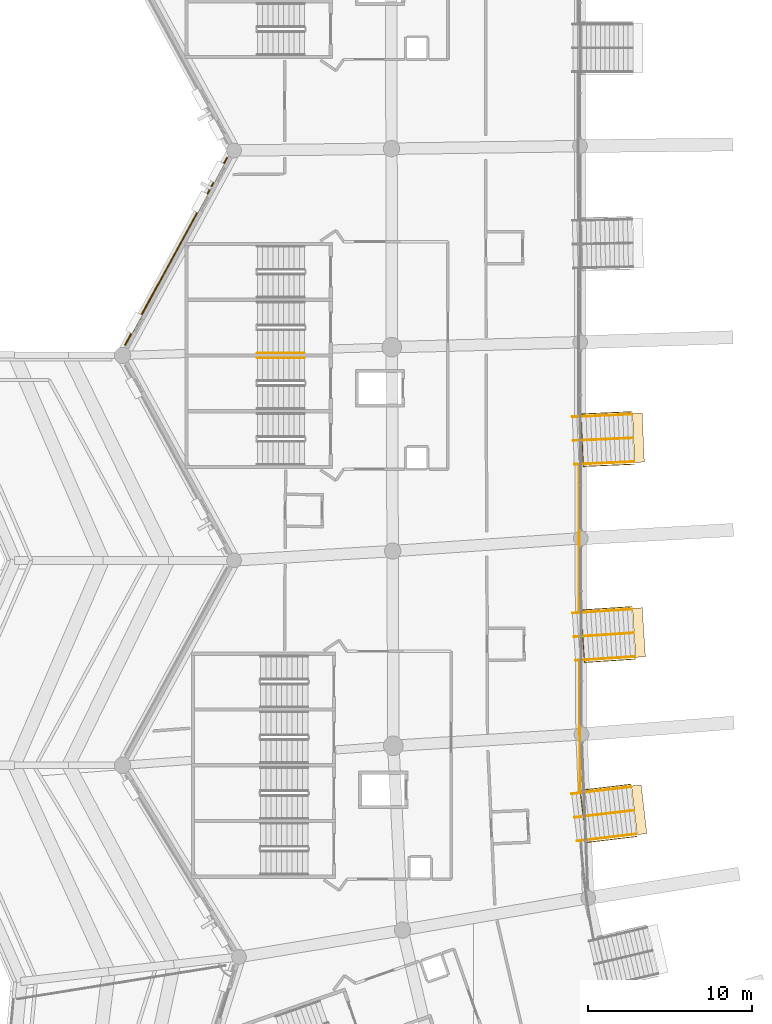
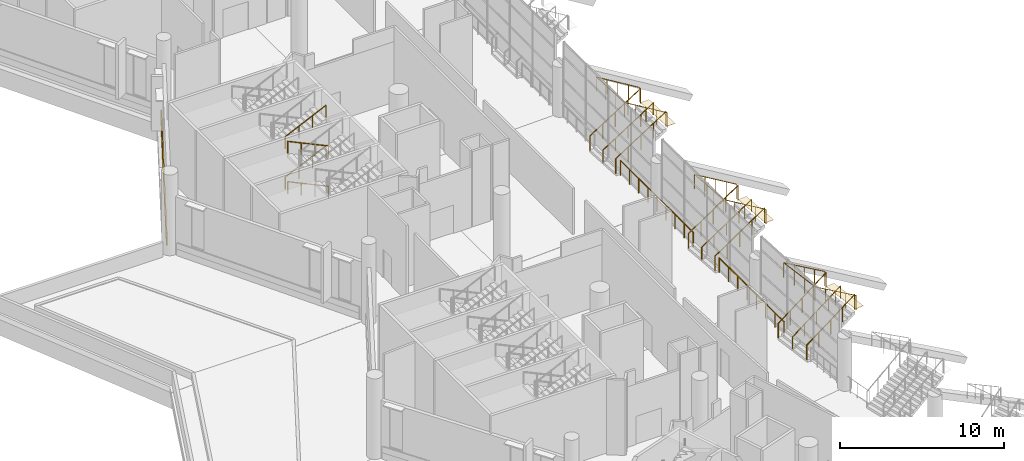
# One storey, part 123 of 173: 18 railings, 5 coverings.
"""IFC4 building model written with IfcOpenShell, lengths in metres."""

from ifc_helpers import new_model, si_unit, direction, frame, origin, origin_2d, place, context, subcontext, project, spatial, rectangle, circle, extrude, material, layer, layer_set, type_object, element, save


model = new_model("IFC4")

# Units and contexts
model_context = context("Model", 3, precision=1e-05, world=origin(), true_north=direction((0.0, 1.0)))
body_context = subcontext(model_context, "Body", "Model", "MODEL_VIEW")
ifc_project = project(units=[si_unit("LENGTHUNIT", "METRE"), si_unit("AREAUNIT", "SQUARE_METRE"), si_unit("VOLUMEUNIT", "CUBIC_METRE"), si_unit("PLANEANGLEUNIT", "RADIAN"), si_unit("MASSUNIT", "GRAM", prefix="KILO")], contexts=[model_context])

# Site, building, storey
site_placement = place(None, origin())
site = spatial("IfcSite", under=ifc_project, at=site_placement, CompositionType="ELEMENT")
building_placement = place(site_placement, origin())
building = spatial("IfcBuilding", under=site, at=building_placement, Name="Meseta Stadium", CompositionType="ELEMENT")
storey_placement = place(building_placement, frame((0.0, 0.0, 18.0)))
storey = spatial("IfcBuildingStorey", under=building, at=storey_placement, Name="L03", CompositionType="ELEMENT", Elevation=18.0)

# Covering
ifc_material_1 = material(Name="Guadarrama granite cladding", Category="masonry")
ifc_layer_1 = layer(ifc_material_1, 0.06005859375)
ifc_layer_set_1 = layer_set([ifc_layer_1], Name="Granite plinth cladding 60")
covering_type_1 = type_object("IfcCoveringType", Name="Granite plinth cladding 60", PredefinedType="CLADDING", material=ifc_layer_set_1)
covering_1_placement = place(storey_placement, frame((-98.124267578125, -12.404052734375, 0.0), z_axis=(0.0, 0.0, 1.0), x_axis=(0.47786723231, 0.878432073802, 0.0)))
element("IfcCovering", 1, at=covering_1_placement, inside=storey, type_object=covering_type_1, Name="Granite plinth L03 F33", PredefinedType="CLADDING", context=body_context, shape_type="SweptSolid", body=[
    extrude(rectangle(XDim=13.040283203125, YDim=0.06005859375, at=origin_2d()), origin(), (0.0, 0.0, 1.0), 0.5),
])

# Railings
ifc_material_2 = material(Name="Steel S355", Category="steel")
railing_type_1 = type_object("IfcRailingType", Name="Plate edge guard 1100", PredefinedType="GUARDRAIL", material=ifc_material_2)
railing_1_placement = place(storey_placement, frame((-73.564453125, -25.49951171875, 0.0)))
element("IfcRailing", 2, at=railing_1_placement, inside=storey, type_object=railing_type_1, Name="L03 inner edge guard 36", PredefinedType="GUARDRAIL", context=body_context, shape_type="SweptSolid", body=[
    extrude(circle(Radius=0.02490234375, at=origin_2d()), frame((0.0, 0.0, 1.0751953125), z_axis=(0.003239544414, -0.999994752662, 0.0), x_axis=(0.999994752662, 0.003239544414, 0.0)), (0.0, 0.0, 1.0), 8.8173828125),
    extrude(circle(Radius=0.02001953125, at=origin_2d()), origin(), (0.0, 0.0, 1.0), 1.050048828125),
    extrude(circle(Radius=0.02001953125, at=origin_2d()), frame((0.003662109375, -1.10205078125, 0.0)), (0.0, 0.0, 1.0), 1.050048828125),
    extrude(circle(Radius=0.02001953125, at=origin_2d()), frame((0.007080078125, -2.204345703125, 0.0)), (0.0, 0.0, 1.0), 1.050048828125),
    extrude(circle(Radius=0.02001953125, at=origin_2d()), frame((0.0107421875, -3.306640625, 0.0)), (0.0, 0.0, 1.0), 1.050048828125),
    extrude(circle(Radius=0.02001953125, at=origin_2d()), frame((0.01416015625, -4.40869140625, 0.0)), (0.0, 0.0, 1.0), 1.050048828125),
    extrude(circle(Radius=0.02001953125, at=origin_2d()), frame((0.017822265625, -5.5107421875, 0.0)), (0.0, 0.0, 1.0), 1.050048828125),
    extrude(circle(Radius=0.02001953125, at=origin_2d()), frame((0.021484375, -6.613037109375, 0.0)), (0.0, 0.0, 1.0), 1.050048828125),
    extrude(circle(Radius=0.02001953125, at=origin_2d()), frame((0.02490234375, -7.71533203125, 0.0)), (0.0, 0.0, 1.0), 1.050048828125),
    extrude(circle(Radius=0.02001953125, at=origin_2d()), frame((0.028564453125, -8.8173828125, 0.0)), (0.0, 0.0, 1.0), 1.050048828125),
])
railing_2_placement = place(storey_placement, frame((-73.523681640625, -37.462890625, 0.0)))
element("IfcRailing", 3, at=railing_2_placement, inside=storey, type_object=railing_type_1, Name="L03 inner edge guard 37", PredefinedType="GUARDRAIL", context=body_context, shape_type="SweptSolid", body=[
    extrude(circle(Radius=0.02490234375, at=origin_2d()), frame((0.0, 0.0, 1.0751953125), z_axis=(0.004512027757, -0.999989820751, 0.0), x_axis=(0.999989820751, 0.004512027757, 0.0)), (0.0, 0.0, 1.0), 7.845703125),
    extrude(circle(Radius=0.02001953125, at=origin_2d()), origin(), (0.0, 0.0, 1.0), 1.050048828125),
    extrude(circle(Radius=0.02001953125, at=origin_2d()), frame((0.005126953125, -1.120849609375, 0.0)), (0.0, 0.0, 1.0), 1.050048828125),
    extrude(circle(Radius=0.02001953125, at=origin_2d()), frame((0.010009765625, -2.24169921875, 0.0)), (0.0, 0.0, 1.0), 1.050048828125),
    extrude(circle(Radius=0.02001953125, at=origin_2d()), frame((0.01513671875, -3.362548828125, 0.0)), (0.0, 0.0, 1.0), 1.050048828125),
    extrude(circle(Radius=0.02001953125, at=origin_2d()), frame((0.020263671875, -4.483154296875, 0.0)), (0.0, 0.0, 1.0), 1.050048828125),
    extrude(circle(Radius=0.02001953125, at=origin_2d()), frame((0.025390625, -5.60400390625, 0.0)), (0.0, 0.0, 1.0), 1.050048828125),
    extrude(circle(Radius=0.02001953125, at=origin_2d()), frame((0.0302734375, -6.724853515625, 0.0)), (0.0, 0.0, 1.0), 1.050048828125),
    extrude(circle(Radius=0.02001953125, at=origin_2d()), frame((0.035400390625, -7.845703125, 0.0)), (0.0, 0.0, 1.0), 1.050048828125),
])
ifc_material_3 = material(Name="Steel S355", Category="steel")
railing_type_2 = type_object("IfcRailingType", Name="Stair handrail 900", PredefinedType="HANDRAIL", material=ifc_material_3)
for number, where, name in (
    (4, (-93.179931640625, -18.60009765625, 1.64990234375), "ST70 L03 handrail 2"),
    (5, (-93.179931640625, -18.60009765625, 4.64990234375), "ST70 L03 handrail 4"),
):
    element("IfcRailing", number, at=place(storey_placement, frame(where)), inside=storey, type_object=railing_type_2, Name=name, PredefinedType="HANDRAIL", context=body_context, shape_type="SweptSolid", body=[
        extrude(circle(Radius=0.02392578125, at=origin_2d()), frame((0.0, 0.0, 0.8759765625), z_axis=(0.905440498372, 0.0, 0.424473207528), x_axis=(0.0, 1.0, 0.0)), (0.0, 0.0, 1.0), 3.1806640625),
        extrude(circle(Radius=0.02099609375, at=origin_2d()), origin(), (0.0, 0.0, 1.0), 0.851806640625),
        extrude(circle(Radius=0.02099609375, at=origin_2d()), frame((0.9599609375, 0.0, 0.449951171875)), (0.0, 0.0, 1.0), 0.851806640625),
        extrude(circle(Radius=0.02099609375, at=origin_2d()), frame((1.919921875, 0.0, 0.900146484375)), (0.0, 0.0, 1.0), 0.851806640625),
        extrude(circle(Radius=0.02099609375, at=origin_2d()), frame((2.8798828125, 0.0, 1.35009765625)), (0.0, 0.0, 1.0), 0.851806640625),
    ])
for number, where, name in (
    (6, (-90.300048828125, -18.89990234375, 0.14990234375), "ST71 L03 handrail 1"),
    (7, (-90.300048828125, -18.89990234375, 3.14990234375), "ST71 L03 handrail 3"),
):
    element("IfcRailing", number, at=place(storey_placement, frame(where)), inside=storey, type_object=railing_type_2, Name=name, PredefinedType="HANDRAIL", context=body_context, shape_type="SweptSolid", body=[
        extrude(circle(Radius=0.02392578125, at=origin_2d()), frame((0.0, 0.0, 0.8759765625), z_axis=(-0.905440498372, 0.0, 0.424473207528), x_axis=(0.0, -1.0, 0.0)), (0.0, 0.0, 1.0), 3.1806640625),
        extrude(circle(Radius=0.02099609375, at=origin_2d()), origin(), (0.0, 0.0, 1.0), 0.851806640625),
        extrude(circle(Radius=0.02099609375, at=origin_2d()), frame((-0.9599609375, 0.0, 0.449951171875)), (0.0, 0.0, 1.0), 0.851806640625),
        extrude(circle(Radius=0.02099609375, at=origin_2d()), frame((-1.919921875, 0.0, 0.900146484375)), (0.0, 0.0, 1.0), 0.851806640625),
        extrude(circle(Radius=0.02099609375, at=origin_2d()), frame((-2.8798828125, 0.0, 1.35009765625)), (0.0, 0.0, 1.0), 0.851806640625),
    ])

# Coverings
ifc_material_4 = material(Name="Precast concrete C40/50, terracotta pigment", Category="masonry")
ifc_layer_2 = layer(ifc_material_4, 0.080078125)
ifc_layer_set_2 = layer_set([ifc_layer_2], Name="Precast concrete C40/50, terracotta pigment")
covering_type_2 = type_object("IfcCoveringType", Name="Terracotta precast band 80", PredefinedType="CLADDING", material=ifc_layer_set_2)
covering_2_placement = place(storey_placement, frame((-98.133056640625, -12.399169921875, 0.5), z_axis=(0.0, 0.0, 1.0), x_axis=(0.47786723231, 0.878432073802, 0.0)))
element("IfcCovering", 8, at=covering_2_placement, inside=storey, type_object=covering_type_2, Name="Terracotta band L03 F33", PredefinedType="CLADDING", context=body_context, shape_type="SweptSolid", body=[
    extrude(rectangle(XDim=13.040283203125, YDim=0.080078125, at=origin_2d()), origin(), (0.0, 0.0, 1.0), 0.449951171875),
])
ifc_material_5 = material(Name="Stone paving", Category="masonry")
ifc_layer_3 = layer(ifc_material_5, 0.02001953125)
ifc_layer_set_3 = layer_set([ifc_layer_3], Name="Vomitory exit threshold plate 20")
covering_type_3 = type_object("IfcCoveringType", Name="Vomitory exit threshold plate 20", PredefinedType="FLOORING", material=ifc_layer_set_3)
for number, where, z_axis, x_axis, name in (
    (9, (-69.936279296875, -23.76904296875, 2.2919921875), (0.0, 0.0, 1.0), (0.999039522965, 0.043818164662, 0.0), "Vomitory V-upper-35 exit threshold"),
    (10, (-69.90185546875, -35.651123046875, 2.2919921875), (0.0, 0.0, 1.0), (0.997842912451, 0.065646950207, 0.0), "Vomitory V-upper-36 exit threshold"),
    (11, (-69.890380859375, -46.4619140625, 2.409423828125), (0.0, 0.0, 1.0), (0.993015017931, 0.117988025512, 0.0), "Vomitory V-upper-37 exit threshold"),
):
    element("IfcCovering", number, at=place(storey_placement, frame(where, z_axis=z_axis, x_axis=x_axis)), inside=storey, type_object=covering_type_3, Name=name, PredefinedType="FLOORING", context=body_context, shape_type="SweptSolid", body=[
        extrude(rectangle(XDim=0.60009765625, YDim=3.0, at=origin_2d()), origin(), (0.0, 0.0, 1.0), 0.02001953125),
    ])

# Railings
ifc_material_6 = material(Name="Steel S355", Category="steel")
railing_type_3 = type_object("IfcRailingType", Name="Vomitory slot guard 1100", PredefinedType="GUARDRAIL", material=ifc_material_6)
railing_3_placement = place(storey_placement, frame((-70.199951171875, -25.382080078125, 2.31201171875)))
element("IfcRailing", 12, at=railing_3_placement, inside=storey, type_object=railing_type_3, Name="Vomitory V-upper-35 slot guard", PredefinedType="GUARDRAIL", context=body_context, shape_type="SweptSolid", body=[
    extrude(circle(Radius=0.02490234375, at=origin_2d()), frame((0.0, 0.0, 1.0751953125), z_axis=(-0.847195861741, -0.03713076613, 0.529981582751), x_axis=(0.043785808256, -0.999040941601, 0.0)), (0.0, 0.0, 1.0), 3.65576171875),
    extrude(circle(Radius=0.02490234375, at=origin_2d()), frame((-3.09716796875, -0.1357421875, 3.0126953125), z_axis=(-0.043794812428, 0.999040546927, 0.0), x_axis=(-0.999040546927, -0.043794812428, 0.0)), (0.0, 0.0, 1.0), 3.199951171875),
    extrude(circle(Radius=0.02490234375, at=origin_2d()), frame((-3.2373046875, 3.06103515625, 3.0126953125), z_axis=(0.847195861741, 0.03713076613, -0.529981582751), x_axis=(-0.043785808256, 0.999040941601, 0.0)), (0.0, 0.0, 1.0), 3.65576171875),
    extrude(circle(Radius=0.02001953125, at=origin_2d()), origin(), (0.0, 0.0, 1.0), 1.050048828125),
    extrude(circle(Radius=0.02001953125, at=origin_2d()), frame((-0.7744140625, -0.033935546875, 0.484375)), (0.0, 0.0, 1.0), 1.050048828125),
    extrude(circle(Radius=0.02001953125, at=origin_2d()), frame((-1.548583984375, -0.06787109375, 0.96875)), (0.0, 0.0, 1.0), 1.050048828125),
    extrude(circle(Radius=0.02001953125, at=origin_2d()), frame((-2.32275390625, -0.101806640625, 1.453125)), (0.0, 0.0, 1.0), 1.050048828125),
    extrude(circle(Radius=0.02001953125, at=origin_2d()), frame((-3.09716796875, -0.1357421875, 1.9375)), (0.0, 0.0, 1.0), 1.050048828125),
    extrude(circle(Radius=0.02001953125, at=origin_2d()), frame((-3.143798828125, 0.929931640625, 1.9375)), (0.0, 0.0, 1.0), 1.050048828125),
    extrude(circle(Radius=0.02001953125, at=origin_2d()), frame((-3.190673828125, 1.995361328125, 1.9375)), (0.0, 0.0, 1.0), 1.050048828125),
    extrude(circle(Radius=0.02001953125, at=origin_2d()), frame((-3.2373046875, 3.06103515625, 1.9375)), (0.0, 0.0, 1.0), 1.050048828125),
    extrude(circle(Radius=0.02001953125, at=origin_2d()), frame((-2.462890625, 3.094970703125, 1.453125)), (0.0, 0.0, 1.0), 1.050048828125),
    extrude(circle(Radius=0.02001953125, at=origin_2d()), frame((-1.688720703125, 3.12890625, 0.96875)), (0.0, 0.0, 1.0), 1.050048828125),
    extrude(circle(Radius=0.02001953125, at=origin_2d()), frame((-0.91455078125, 3.162841796875, 0.484375)), (0.0, 0.0, 1.0), 1.050048828125),
    extrude(circle(Radius=0.02001953125, at=origin_2d()), frame((-0.14013671875, 3.19677734375, 0.0)), (0.0, 0.0, 1.0), 1.050048828125),
])
railing_4_placement = place(storey_placement, frame((-70.1298828125, -37.269775390625, 2.31201171875)))
element("IfcRailing", 13, at=railing_4_placement, inside=storey, type_object=railing_type_3, Name="Vomitory V-upper-36 slot guard", PredefinedType="GUARDRAIL", context=body_context, shape_type="SweptSolid", body=[
    extrude(circle(Radius=0.02490234375, at=origin_2d()), frame((0.0, 0.0, 1.0751953125), z_axis=(-0.846185833796, -0.055628821684, 0.529976385211), x_axis=(0.065599066313, -0.997846061524, 0.0)), (0.0, 0.0, 1.0), 3.65576171875),
    extrude(circle(Radius=0.02490234375, at=origin_2d()), frame((-3.093505859375, -0.203369140625, 3.0126953125), z_axis=(-0.065612573528, 0.997845173459, 0.0), x_axis=(-0.997845173459, -0.065612573528, 0.0)), (0.0, 0.0, 1.0), 3.199951171875),
    extrude(circle(Radius=0.02490234375, at=origin_2d()), frame((-3.303466796875, 2.98974609375, 3.0126953125), z_axis=(0.846166868334, 0.055631965377, -0.530006335209), x_axis=(-0.065604221541, 0.997845722602, 0.0)), (0.0, 0.0, 1.0), 3.655517578125),
    extrude(circle(Radius=0.02001953125, at=origin_2d()), origin(), (0.0, 0.0, 1.0), 1.050048828125),
    extrude(circle(Radius=0.02001953125, at=origin_2d()), frame((-0.7734375, -0.05078125, 0.484375)), (0.0, 0.0, 1.0), 1.050048828125),
    extrude(circle(Radius=0.02001953125, at=origin_2d()), frame((-1.546875, -0.1015625, 0.96875)), (0.0, 0.0, 1.0), 1.050048828125),
    extrude(circle(Radius=0.02001953125, at=origin_2d()), frame((-2.320068359375, -0.152587890625, 1.453125)), (0.0, 0.0, 1.0), 1.050048828125),
    extrude(circle(Radius=0.02001953125, at=origin_2d()), frame((-3.093505859375, -0.203369140625, 1.9375)), (0.0, 0.0, 1.0), 1.050048828125),
    extrude(circle(Radius=0.02001953125, at=origin_2d()), frame((-3.16357421875, 0.861083984375, 1.9375)), (0.0, 0.0, 1.0), 1.050048828125),
    extrude(circle(Radius=0.02001953125, at=origin_2d()), frame((-3.2333984375, 1.92529296875, 1.9375)), (0.0, 0.0, 1.0), 1.050048828125),
    extrude(circle(Radius=0.02001953125, at=origin_2d()), frame((-3.303466796875, 2.98974609375, 1.9375)), (0.0, 0.0, 1.0), 1.050048828125),
    extrude(circle(Radius=0.02001953125, at=origin_2d()), frame((-2.5302734375, 3.04052734375, 1.453125)), (0.0, 0.0, 1.0), 1.050048828125),
    extrude(circle(Radius=0.02001953125, at=origin_2d()), frame((-1.7568359375, 3.09130859375, 0.96875)), (0.0, 0.0, 1.0), 1.050048828125),
    extrude(circle(Radius=0.02001953125, at=origin_2d()), frame((-0.9833984375, 3.142333984375, 0.484375)), (0.0, 0.0, 1.0), 1.050048828125),
    extrude(circle(Radius=0.02001953125, at=origin_2d()), frame((-0.210205078125, 3.193115234375, 0.0)), (0.0, 0.0, 1.0), 1.050048828125),
])
railing_5_placement = place(storey_placement, frame((-70.033203125, -48.090087890625, 2.429443359375)))
element("IfcRailing", 14, at=railing_5_placement, inside=storey, type_object=railing_type_3, Name="Vomitory V-upper-37 slot guard", PredefinedType="GUARDRAIL", context=body_context, shape_type="SweptSolid", body=[
    extrude(circle(Radius=0.02490234375, at=origin_2d()), frame((0.0, 0.0, 1.0751953125), z_axis=(-0.842072147355, -0.100108347124, 0.529993223999), x_axis=(0.118052034907, -0.993007410372, 0.0)), (0.0, 0.0, 1.0), 3.65576171875),
    extrude(circle(Radius=0.02490234375, at=origin_2d()), frame((-3.078369140625, -0.365966796875, 3.0126953125), z_axis=(-0.117947803089, 0.993019796251, 0.0), x_axis=(-0.993019796251, -0.117947803089, 0.0)), (0.0, 0.0, 1.0), 3.199951171875),
    extrude(circle(Radius=0.02490234375, at=origin_2d()), frame((-3.455810546875, 2.811767578125, 3.0126953125), z_axis=(0.842077775272, 0.100042232323, -0.529996766164), x_axis=(-0.117974377502, 0.993016639464, 0.0)), (0.0, 0.0, 1.0), 3.65576171875),
    extrude(circle(Radius=0.02001953125, at=origin_2d()), origin(), (0.0, 0.0, 1.0), 1.050048828125),
    extrude(circle(Radius=0.02001953125, at=origin_2d()), frame((-0.76953125, -0.091552734375, 0.484375)), (0.0, 0.0, 1.0), 1.050048828125),
    extrude(circle(Radius=0.02001953125, at=origin_2d()), frame((-1.5390625, -0.18310546875, 0.96875)), (0.0, 0.0, 1.0), 1.050048828125),
    extrude(circle(Radius=0.02001953125, at=origin_2d()), frame((-2.308837890625, -0.2744140625, 1.453125)), (0.0, 0.0, 1.0), 1.050048828125),
    extrude(circle(Radius=0.02001953125, at=origin_2d()), frame((-3.078369140625, -0.365966796875, 1.9375)), (0.0, 0.0, 1.0), 1.050048828125),
    extrude(circle(Radius=0.02001953125, at=origin_2d()), frame((-3.2041015625, 0.693359375, 1.9375)), (0.0, 0.0, 1.0), 1.050048828125),
    extrude(circle(Radius=0.02001953125, at=origin_2d()), frame((-3.330078125, 1.75244140625, 1.9375)), (0.0, 0.0, 1.0), 1.050048828125),
    extrude(circle(Radius=0.02001953125, at=origin_2d()), frame((-3.455810546875, 2.811767578125, 1.9375)), (0.0, 0.0, 1.0), 1.050048828125),
    extrude(circle(Radius=0.02001953125, at=origin_2d()), frame((-2.686279296875, 2.9033203125, 1.453125)), (0.0, 0.0, 1.0), 1.050048828125),
    extrude(circle(Radius=0.02001953125, at=origin_2d()), frame((-1.91650390625, 2.99462890625, 0.96875)), (0.0, 0.0, 1.0), 1.050048828125),
    extrude(circle(Radius=0.02001953125, at=origin_2d()), frame((-1.14697265625, 3.0859375, 0.484375)), (0.0, 0.0, 1.0), 1.050048828125),
    extrude(circle(Radius=0.02001953125, at=origin_2d()), frame((-0.37744140625, 3.177490234375, 0.0)), (0.0, 0.0, 1.0), 1.050048828125),
])
ifc_material_7 = material(Name="Steel S355", Category="steel")
railing_type_4 = type_object("IfcRailingType", Name="Vomitory stair guard 1100", PredefinedType="GUARDRAIL", material=ifc_material_7)
railing_6_placement = place(storey_placement, frame((-73.97021484375, -22.494384765625, 0.1650390625)))
element("IfcRailing", 15, at=railing_6_placement, inside=storey, type_object=railing_type_4, Name="Vomitory V-upper-35 guard left", PredefinedType="GUARDRAIL", context=body_context, shape_type="SweptSolid", body=[
    extrude(circle(Radius=0.02490234375, at=origin_2d()), frame((0.0, 0.0, 1.0751953125), z_axis=(0.860520694288, 0.037722879523, 0.508016849192), x_axis=(-0.043795211179, 0.999040529447, 0.0)), (0.0, 0.0, 1.0), 4.22607421875),
    extrude(circle(Radius=0.02001953125, at=origin_2d()), origin(), (0.0, 0.0, 1.0), 1.050048828125),
    extrude(circle(Radius=0.02001953125, at=origin_2d()), frame((0.9091796875, 0.039794921875, 0.53662109375)), (0.0, 0.0, 1.0), 1.050048828125),
    extrude(circle(Radius=0.02001953125, at=origin_2d()), frame((1.818359375, 0.07958984375, 1.073486328125)), (0.0, 0.0, 1.0), 1.050048828125),
    extrude(circle(Radius=0.02001953125, at=origin_2d()), frame((2.7275390625, 0.11962890625, 1.6103515625)), (0.0, 0.0, 1.0), 1.050048828125),
    extrude(circle(Radius=0.02001953125, at=origin_2d()), frame((3.63671875, 0.159423828125, 2.14697265625)), (0.0, 0.0, 1.0), 1.050048828125),
])
railing_7_placement = place(storey_placement, frame((-73.843017578125, -25.3916015625, 0.1650390625)))
element("IfcRailing", 16, at=railing_7_placement, inside=storey, type_object=railing_type_4, Name="Vomitory V-upper-35 guard right", PredefinedType="GUARDRAIL", context=body_context, shape_type="SweptSolid", body=[
    extrude(circle(Radius=0.02490234375, at=origin_2d()), frame((0.0, 0.0, 1.0751953125), z_axis=(0.860505701986, 0.037724754844, 0.508042104281), x_axis=(-0.043798145802, 0.999040400797, 0.0)), (0.0, 0.0, 1.0), 4.22607421875),
    extrude(circle(Radius=0.02001953125, at=origin_2d()), origin(), (0.0, 0.0, 1.0), 1.050048828125),
    extrude(circle(Radius=0.02001953125, at=origin_2d()), frame((0.9091796875, 0.039794921875, 0.53662109375)), (0.0, 0.0, 1.0), 1.050048828125),
    extrude(circle(Radius=0.02001953125, at=origin_2d()), frame((1.818359375, 0.07958984375, 1.073486328125)), (0.0, 0.0, 1.0), 1.050048828125),
    extrude(circle(Radius=0.02001953125, at=origin_2d()), frame((2.727294921875, 0.11962890625, 1.6103515625)), (0.0, 0.0, 1.0), 1.050048828125),
    extrude(circle(Radius=0.02001953125, at=origin_2d()), frame((3.636474609375, 0.159423828125, 2.14697265625)), (0.0, 0.0, 1.0), 1.050048828125),
])
for number, where, name in (
    (17, (-73.96240234375, -34.465087890625, 0.1650390625), "Vomitory V-upper-36 guard left"),
    (18, (-73.77197265625, -37.35888671875, 0.1650390625), "Vomitory V-upper-36 guard right"),
):
    element("IfcRailing", number, at=place(storey_placement, frame(where)), inside=storey, type_object=railing_type_4, Name=name, PredefinedType="GUARDRAIL", context=body_context, shape_type="SweptSolid", body=[
        extrude(circle(Radius=0.02490234375, at=origin_2d()), frame((0.0, 0.0, 1.0751953125), z_axis=(0.859474164837, 0.056501023944, 0.508047039428), x_axis=(-0.065597469305, 0.997846166511, 0.0)), (0.0, 0.0, 1.0), 4.225830078125),
        extrude(circle(Radius=0.02001953125, at=origin_2d()), origin(), (0.0, 0.0, 1.0), 1.050048828125),
        extrude(circle(Radius=0.02001953125, at=origin_2d()), frame((0.907958984375, 0.0595703125, 0.53662109375)), (0.0, 0.0, 1.0), 1.050048828125),
        extrude(circle(Radius=0.02001953125, at=origin_2d()), frame((1.81591796875, 0.119384765625, 1.073486328125)), (0.0, 0.0, 1.0), 1.050048828125),
        extrude(circle(Radius=0.02001953125, at=origin_2d()), frame((2.72412109375, 0.17919921875, 1.6103515625)), (0.0, 0.0, 1.0), 1.050048828125),
        extrude(circle(Radius=0.02001953125, at=origin_2d()), frame((3.632080078125, 0.23876953125, 2.14697265625)), (0.0, 0.0, 1.0), 1.050048828125),
    ])
railing_8_placement = place(storey_placement, frame((-74.007568359375, -45.490966796875, 0.173583984375)))
element("IfcRailing", 19, at=railing_8_placement, inside=storey, type_object=railing_type_4, Name="Vomitory V-upper-37 guard left", PredefinedType="GUARDRAIL", context=body_context, shape_type="SweptSolid", body=[
    extrude(circle(Radius=0.02490234375, at=origin_2d()), frame((0.0, 0.0, 1.0751953125), z_axis=(0.844059575991, 0.100283741585, 0.526788955229), x_axis=(-0.117981411605, 0.993015803759, 0.0)), (0.0, 0.0, 1.0), 4.2822265625),
    extrude(circle(Radius=0.02001953125, at=origin_2d()), origin(), (0.0, 0.0, 1.0), 1.050048828125),
    extrude(circle(Radius=0.02001953125, at=origin_2d()), frame((0.903564453125, 0.107421875, 0.56396484375)), (0.0, 0.0, 1.0), 1.050048828125),
    extrude(circle(Radius=0.02001953125, at=origin_2d()), frame((1.80712890625, 0.21484375, 1.1279296875)), (0.0, 0.0, 1.0), 1.050048828125),
    extrude(circle(Radius=0.02001953125, at=origin_2d()), frame((2.7109375, 0.322021484375, 1.69189453125)), (0.0, 0.0, 1.0), 1.050048828125),
    extrude(circle(Radius=0.02001953125, at=origin_2d()), frame((3.614501953125, 0.429443359375, 2.255859375)), (0.0, 0.0, 1.0), 1.050048828125),
])
railing_9_placement = place(storey_placement, frame((-73.665283203125, -48.37060546875, 0.173583984375)))
element("IfcRailing", 20, at=railing_9_placement, inside=storey, type_object=railing_type_4, Name="Vomitory V-upper-37 guard right", PredefinedType="GUARDRAIL", context=body_context, shape_type="SweptSolid", body=[
    extrude(circle(Radius=0.02490234375, at=origin_2d()), frame((0.0, 0.0, 1.0751953125), z_axis=(0.84406440045, 0.100227302667, 0.526791966238), x_axis=(-0.117915271448, 0.993023659718, 0.0)), (0.0, 0.0, 1.0), 4.2822265625),
    extrude(circle(Radius=0.02001953125, at=origin_2d()), origin(), (0.0, 0.0, 1.0), 1.050048828125),
    extrude(circle(Radius=0.02001953125, at=origin_2d()), frame((0.903564453125, 0.107421875, 0.56396484375)), (0.0, 0.0, 1.0), 1.050048828125),
    extrude(circle(Radius=0.02001953125, at=origin_2d()), frame((1.80712890625, 0.214599609375, 1.1279296875)), (0.0, 0.0, 1.0), 1.050048828125),
    extrude(circle(Radius=0.02001953125, at=origin_2d()), frame((2.7109375, 0.32177734375, 1.69189453125)), (0.0, 0.0, 1.0), 1.050048828125),
    extrude(circle(Radius=0.02001953125, at=origin_2d()), frame((3.614501953125, 0.42919921875, 2.255859375)), (0.0, 0.0, 1.0), 1.050048828125),
])
ifc_material_8 = material(Name="Steel S355", Category="steel")
railing_type_5 = type_object("IfcRailingType", Name="Vomitory stair handrail 900", PredefinedType="HANDRAIL", material=ifc_material_8)
railing_10_placement = place(storey_placement, frame((-73.906494140625, -23.943115234375, 0.1650390625)))
element("IfcRailing", 21, at=railing_10_placement, inside=storey, type_object=railing_type_5, Name="Vomitory V-upper-35 central handrail", PredefinedType="HANDRAIL", context=body_context, shape_type="SweptSolid", body=[
    extrude(circle(Radius=0.02490234375, at=origin_2d()), frame((0.0, 0.0, 0.875), z_axis=(0.860505701986, 0.037724754844, 0.508042104281), x_axis=(-0.043798145802, 0.999040400797, 0.0)), (0.0, 0.0, 1.0), 4.22607421875),
    extrude(circle(Radius=0.02001953125, at=origin_2d()), origin(), (0.0, 0.0, 1.0), 0.849853515625),
    extrude(circle(Radius=0.02001953125, at=origin_2d()), frame((0.9091796875, 0.039794921875, 0.53662109375)), (0.0, 0.0, 1.0), 0.849853515625),
    extrude(circle(Radius=0.02001953125, at=origin_2d()), frame((1.818359375, 0.07958984375, 1.073486328125)), (0.0, 0.0, 1.0), 0.849853515625),
    extrude(circle(Radius=0.02001953125, at=origin_2d()), frame((2.727294921875, 0.11962890625, 1.6103515625)), (0.0, 0.0, 1.0), 0.849853515625),
    extrude(circle(Radius=0.02001953125, at=origin_2d()), frame((3.636474609375, 0.159423828125, 2.14697265625)), (0.0, 0.0, 1.0), 0.849853515625),
])
railing_11_placement = place(storey_placement, frame((-73.8671875, -35.912109375, 0.1650390625)))
element("IfcRailing", 22, at=railing_11_placement, inside=storey, type_object=railing_type_5, Name="Vomitory V-upper-36 central handrail", PredefinedType="HANDRAIL", context=body_context, shape_type="SweptSolid", body=[
    extrude(circle(Radius=0.02490234375, at=origin_2d()), frame((0.0, 0.0, 0.875), z_axis=(0.85947135794, 0.05655861124, 0.508045380233), x_axis=(-0.065664253324, 0.997841773948, 0.0)), (0.0, 0.0, 1.0), 4.225830078125),
    extrude(circle(Radius=0.02001953125, at=origin_2d()), origin(), (0.0, 0.0, 1.0), 0.849853515625),
    extrude(circle(Radius=0.02001953125, at=origin_2d()), frame((0.907958984375, 0.059814453125, 0.53662109375)), (0.0, 0.0, 1.0), 0.849853515625),
    extrude(circle(Radius=0.02001953125, at=origin_2d()), frame((1.81591796875, 0.11962890625, 1.073486328125)), (0.0, 0.0, 1.0), 0.849853515625),
    extrude(circle(Radius=0.02001953125, at=origin_2d()), frame((2.72412109375, 0.17919921875, 1.6103515625)), (0.0, 0.0, 1.0), 0.849853515625),
    extrude(circle(Radius=0.02001953125, at=origin_2d()), frame((3.632080078125, 0.239013671875, 2.14697265625)), (0.0, 0.0, 1.0), 0.849853515625),
])
railing_12_placement = place(storey_placement, frame((-73.83642578125, -46.930908203125, 0.173583984375)))
element("IfcRailing", 23, at=railing_12_placement, inside=storey, type_object=railing_type_5, Name="Vomitory V-upper-37 central handrail", PredefinedType="HANDRAIL", context=body_context, shape_type="SweptSolid", body=[
    extrude(circle(Radius=0.02490234375, at=origin_2d()), frame((0.0, 0.0, 0.875), z_axis=(0.844059575991, 0.100283741585, 0.526788955229), x_axis=(-0.117981411605, 0.993015803759, 0.0)), (0.0, 0.0, 1.0), 4.2822265625),
    extrude(circle(Radius=0.02001953125, at=origin_2d()), origin(), (0.0, 0.0, 1.0), 0.849853515625),
    extrude(circle(Radius=0.02001953125, at=origin_2d()), frame((0.903564453125, 0.107421875, 0.56396484375)), (0.0, 0.0, 1.0), 0.849853515625),
    extrude(circle(Radius=0.02001953125, at=origin_2d()), frame((1.80712890625, 0.21484375, 1.1279296875)), (0.0, 0.0, 1.0), 0.849853515625),
    extrude(circle(Radius=0.02001953125, at=origin_2d()), frame((2.7109375, 0.322021484375, 1.69189453125)), (0.0, 0.0, 1.0), 0.849853515625),
    extrude(circle(Radius=0.02001953125, at=origin_2d()), frame((3.614501953125, 0.429443359375, 2.255859375)), (0.0, 0.0, 1.0), 0.849853515625),
])

save(model, "model.ifc")
